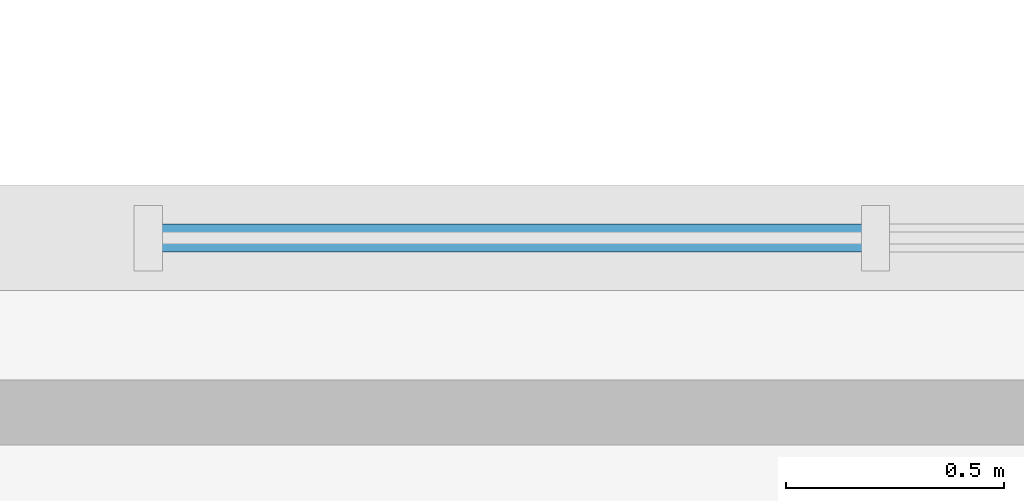
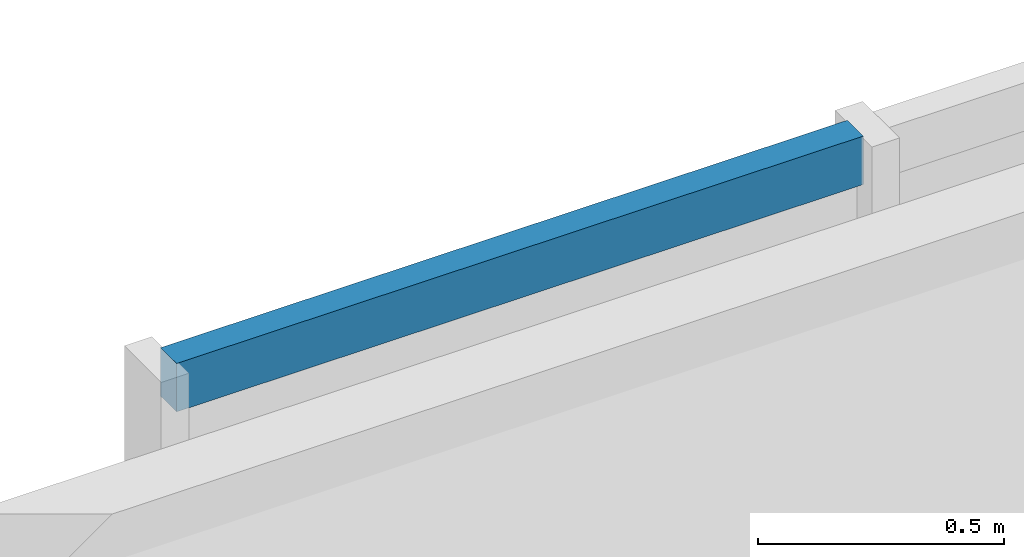
# One storey, part 16 of 90: 1 member, 1 element without a shape of its own.
"""IFC4 building model written with IfcOpenShell, lengths in metres."""

from ifc_helpers import new_model, si_unit, direction, frame, origin, origin_2d, place, context, subcontext, project, spatial, rectangle, extrude, material, material_profile, profile_set, type_object, element, aggregate, save


model = new_model("IFC4")

# Units and contexts
model_context = context("Model", 3, precision=1e-05, world=origin(), true_north=direction((0.0, 1.0)))
body_context = subcontext(model_context, "Body", "Model", "MODEL_VIEW")
ifc_project = project(units=[si_unit("LENGTHUNIT", "METRE"), si_unit("AREAUNIT", "SQUARE_METRE"), si_unit("VOLUMEUNIT", "CUBIC_METRE"), si_unit("PLANEANGLEUNIT", "RADIAN"), si_unit("MASSUNIT", "GRAM", prefix="KILO")], contexts=[model_context])

# Site, building, storey
site_placement = place(None, origin())
site = spatial("IfcSite", under=ifc_project, at=site_placement, CompositionType="ELEMENT")
building_placement = place(site_placement, origin())
building = spatial("IfcBuilding", under=site, at=building_placement, Name="Solanera Park Tramway Depot", CompositionType="ELEMENT")
storey_placement = place(building_placement, frame((0.0, 0.0, 9.0)))
storey = spatial("IfcBuildingStorey", under=building, at=storey_placement, Name="L02", CompositionType="ELEMENT", Elevation=9.0)

# Curtain wall, member
ifc_material_1 = material(Name="Bronze-anodised thermally broken aluminium curtain wall", Category="aluminium")
curtain_wall_type = type_object("IfcCurtainWallType", Name="Workshop Daylight Ribbon Curtain Wall", PredefinedType="NOTDEFINED", material=ifc_material_1)
curtain_wall_placement = place(storey_placement, origin())
curtain_wall = element("IfcCurtainWall", 1, at=curtain_wall_placement, inside=storey, type_object=curtain_wall_type, Name="L02 Workshop Daylight Ribbon Curtain Wall #157", PredefinedType="NOTDEFINED")
ifc_material_2 = material(Name="Bronze-anodised structural aluminium 6063-T6", Category="aluminium")
ifc_material_profile = material_profile(ifc_material_2, rectangle(XDim=0.06494140625, YDim=0.1201171875, at=origin_2d()), Name="Curtain Wall Transom 65x120")
ifc_profile_set = profile_set([ifc_material_profile], Name="Bronze-anodised structural aluminium 6063-T6")
member_type = type_object("IfcMemberType", Name="Curtain Wall Transom 65x120", PredefinedType="USERDEFINED", material=ifc_profile_set)
member_placement = place(storey_placement, frame((30.760498046875, 32.39990234375, 3.18994140625), z_axis=(1.0, 0.0, 0.0), x_axis=(0.0, 1.0, 0.0)))
member = element("IfcMember", 2, at=member_placement, type_object=member_type, Name="CW-L02-157 Transom R3.C1", ObjectType="TRANSOM", PredefinedType="USERDEFINED", context=body_context, shape_type="SweptSolid", body=[
    extrude(rectangle(XDim=0.06494140625, YDim=0.1201171875, at=origin_2d()), origin(), (0.0, 0.0, 1.0), 1.611572265625),
])
aggregate(curtain_wall, [member])

save(model, "model.ifc")
